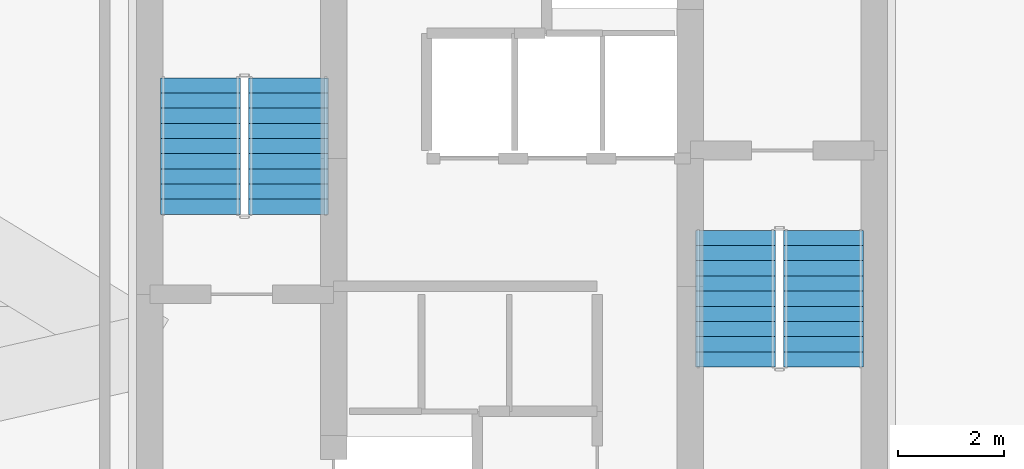
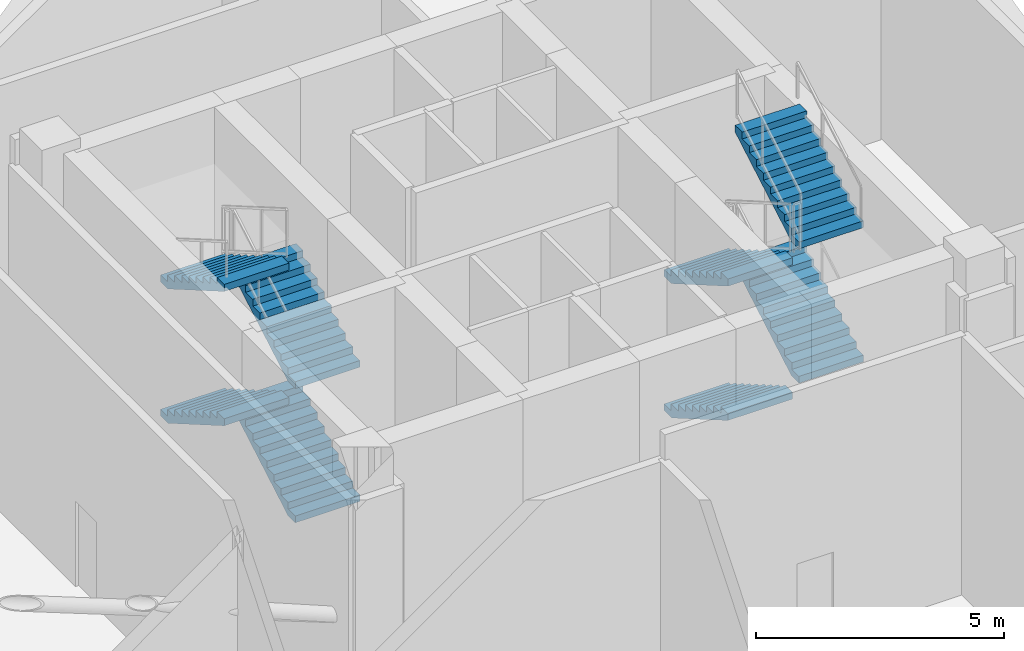
# One storey, part 5 of 7: 8 stair flights, 2 elements without a shape of their own.
"""IFC4 building model written with IfcOpenShell, lengths in metres."""

from ifc_helpers import new_model, si_unit, direction, frame, origin, place, context, subcontext, project, spatial, polyline, outline, extrude, material, type_object, element, aggregate, save


model = new_model("IFC4")

# Units and contexts
model_context = context("Model", 3, precision=1e-05, world=origin(), true_north=direction((0.0, 1.0)))
body_context = subcontext(model_context, "Body", "Model", "MODEL_VIEW")
ifc_project = project(units=[si_unit("LENGTHUNIT", "METRE"), si_unit("AREAUNIT", "SQUARE_METRE"), si_unit("VOLUMEUNIT", "CUBIC_METRE"), si_unit("PLANEANGLEUNIT", "RADIAN"), si_unit("MASSUNIT", "GRAM", prefix="KILO")], contexts=[model_context])

# Site, building, storey
site_placement = place(None, origin())
site = spatial("IfcSite", under=ifc_project, at=site_placement, CompositionType="ELEMENT")
building_placement = place(site_placement, origin())
building = spatial("IfcBuilding", under=site, at=building_placement, Name="Mersakhor Tower and Convention Hall", CompositionType="ELEMENT")
storey_placement = place(building_placement, frame((0.0, 0.0, 66.89990234375)))
storey = spatial("IfcBuildingStorey", under=building, at=storey_placement, Name="L18", CompositionType="ELEMENT", Elevation=66.89990234375)

# Stair, stair flights
ifc_material_1 = material(Name="Concrete C45/55", Category="concrete")
stair_type = type_object("IfcStairType", Name="ST-TWR-40R", PredefinedType="HALF_TURN_STAIR", material=ifc_material_1)
stair_1_placement = place(storey_placement, origin())
stair_1 = element("IfcStair", 1, at=stair_1_placement, inside=storey, type_object=stair_type, Name="L18 Tower Protected Exit Stair ST-1", PredefinedType="HALF_TURN_STAIR")
ifc_material_2 = material(Name="Concrete C45/55", Category="concrete")
stair_flight_type = type_object("IfcStairFlightType", Name="SFL-TWR-40R", PredefinedType="STRAIGHT", material=ifc_material_2)
stair_flight_1_placement = place(storey_placement, frame((24.800048828125, 26.89990234375, 0.0), z_axis=(0.0, 0.0, 1.0), x_axis=(0.0, 1.0, 0.0)))
stair_flight_1 = element("IfcStairFlight", 2, at=stair_flight_1_placement, type_object=stair_flight_type, Name="ST-1 flight 1", NumberOfRisers=10, NumberOfTreads=9, PredefinedType="STRAIGHT", RiserHeight=0.165, TreadLength=0.285, context=body_context, shape_type="SweptSolid", body=[
    extrude(outline(polyline([(0.0, 0.0), (0.0, 0.1650390625), (0.284912109375, 0.1650390625), (0.284912109375, 0.330078125), (0.570068359375, 0.330078125), (0.570068359375, 0.4951171875), (0.85498046875, 0.4951171875), (0.85498046875, 0.659912109375), (1.139892578125, 0.659912109375), (1.139892578125, 0.824951171875), (1.425048828125, 0.824951171875), (1.425048828125, 0.989990234375), (1.7099609375, 0.989990234375), (1.7099609375, 1.155029296875), (1.9951171875, 1.155029296875), (1.9951171875, 1.320068359375), (2.280029296875, 1.320068359375), (2.280029296875, 1.485107421875), (2.56494140625, 1.485107421875), (2.56494140625, 1.64990234375), (2.56494140625, 1.311767578125), (0.299072265625, 0.0), (0.0, 0.0)])), frame((0.0, 0.75, 0.0), z_axis=(0.0, -1.0, 0.0), x_axis=(1.0, 0.0, 0.0)), (0.0, 0.0, 1.0), 1.5),
])
stair_flight_2_placement = place(storey_placement, frame((23.14990234375, 29.465087890625, 1.650146484375), z_axis=(0.0, 0.0, 1.0), x_axis=(0.0, -1.0, 0.0)))
stair_flight_2 = element("IfcStairFlight", 3, at=stair_flight_2_placement, type_object=stair_flight_type, Name="ST-1 flight 2", NumberOfRisers=10, NumberOfTreads=9, PredefinedType="STRAIGHT", RiserHeight=0.165, TreadLength=0.285, context=body_context, shape_type="SweptSolid", body=[
    extrude(outline(polyline([(0.0, 0.0), (0.0, 0.1650390625), (0.284912109375, 0.1650390625), (0.284912109375, 0.330078125), (0.570068359375, 0.330078125), (0.570068359375, 0.4951171875), (0.85498046875, 0.4951171875), (0.85498046875, 0.659912109375), (1.139892578125, 0.659912109375), (1.139892578125, 0.824951171875), (1.425048828125, 0.824951171875), (1.425048828125, 0.989990234375), (1.7099609375, 0.989990234375), (1.7099609375, 1.155029296875), (1.9951171875, 1.155029296875), (1.9951171875, 1.320068359375), (2.280029296875, 1.320068359375), (2.280029296875, 1.485107421875), (2.56494140625, 1.485107421875), (2.56494140625, 1.64990234375), (2.56494140625, 1.311767578125), (0.299072265625, 0.0), (0.0, 0.0)])), frame((0.0, 0.75, 0.0), z_axis=(0.0, -1.0, 0.0), x_axis=(1.0, 0.0, 0.0)), (0.0, 0.0, 1.0), 1.5),
])
stair_flight_3_placement = place(storey_placement, frame((24.800048828125, 26.89990234375, 3.300048828125), z_axis=(0.0, 0.0, 1.0), x_axis=(0.0, 1.0, 0.0)))
stair_flight_3 = element("IfcStairFlight", 4, at=stair_flight_3_placement, type_object=stair_flight_type, Name="ST-1 flight 3", NumberOfRisers=10, NumberOfTreads=9, PredefinedType="STRAIGHT", RiserHeight=0.165, TreadLength=0.285, context=body_context, shape_type="SweptSolid", body=[
    extrude(outline(polyline([(0.0, 0.0), (0.0, 0.1650390625), (0.284912109375, 0.1650390625), (0.284912109375, 0.330078125), (0.570068359375, 0.330078125), (0.570068359375, 0.4951171875), (0.85498046875, 0.4951171875), (0.85498046875, 0.659912109375), (1.139892578125, 0.659912109375), (1.139892578125, 0.824951171875), (1.425048828125, 0.824951171875), (1.425048828125, 0.989990234375), (1.7099609375, 0.989990234375), (1.7099609375, 1.155029296875), (1.9951171875, 1.155029296875), (1.9951171875, 1.320068359375), (2.280029296875, 1.320068359375), (2.280029296875, 1.485107421875), (2.56494140625, 1.485107421875), (2.56494140625, 1.64990234375), (2.56494140625, 1.311767578125), (0.299072265625, 0.0), (0.0, 0.0)])), frame((0.0, 0.75, 0.0), z_axis=(0.0, -1.0, 0.0), x_axis=(1.0, 0.0, 0.0)), (0.0, 0.0, 1.0), 1.5),
])
stair_flight_4_placement = place(storey_placement, frame((23.14990234375, 29.465087890625, 4.9501953125), z_axis=(0.0, 0.0, 1.0), x_axis=(0.0, -1.0, 0.0)))
stair_flight_4 = element("IfcStairFlight", 5, at=stair_flight_4_placement, type_object=stair_flight_type, Name="ST-1 flight 4", NumberOfRisers=10, NumberOfTreads=9, PredefinedType="STRAIGHT", RiserHeight=0.165, TreadLength=0.285, context=body_context, shape_type="SweptSolid", body=[
    extrude(outline(polyline([(0.0, 0.0), (0.0, 0.1650390625), (0.284912109375, 0.1650390625), (0.284912109375, 0.330078125), (0.570068359375, 0.330078125), (0.570068359375, 0.4951171875), (0.85498046875, 0.4951171875), (0.85498046875, 0.659912109375), (1.139892578125, 0.659912109375), (1.139892578125, 0.824951171875), (1.425048828125, 0.824951171875), (1.425048828125, 0.989990234375), (1.7099609375, 0.989990234375), (1.7099609375, 1.155029296875), (1.9951171875, 1.155029296875), (1.9951171875, 1.320068359375), (2.280029296875, 1.320068359375), (2.280029296875, 1.485107421875), (2.56494140625, 1.485107421875), (2.56494140625, 1.64990234375), (2.56494140625, 1.311767578125), (0.299072265625, 0.0), (0.0, 0.0)])), frame((0.0, 0.75, 0.0), z_axis=(0.0, -1.0, 0.0), x_axis=(1.0, 0.0, 0.0)), (0.0, 0.0, 1.0), 1.5),
])
aggregate(stair_1, [stair_flight_1, stair_flight_2, stair_flight_3, stair_flight_4])

stair_2_placement = place(storey_placement, origin())
stair_2 = element("IfcStair", 6, at=stair_2_placement, inside=storey, type_object=stair_type, Name="L18 Tower Protected Exit Stair ST-2", PredefinedType="HALF_TURN_STAIR")
stair_flight_5_placement = place(storey_placement, frame((33.199951171875, 26.60009765625, 0.0), z_axis=(0.0, 0.0, 1.0), x_axis=(0.0, -1.0, 0.0)))
stair_flight_5 = element("IfcStairFlight", 7, at=stair_flight_5_placement, type_object=stair_flight_type, Name="ST-2 flight 1", NumberOfRisers=10, NumberOfTreads=9, PredefinedType="STRAIGHT", RiserHeight=0.165, TreadLength=0.285, context=body_context, shape_type="SweptSolid", body=[
    extrude(outline(polyline([(0.0, 0.0), (0.0, 0.1650390625), (0.284912109375, 0.1650390625), (0.284912109375, 0.330078125), (0.570068359375, 0.330078125), (0.570068359375, 0.4951171875), (0.85498046875, 0.4951171875), (0.85498046875, 0.659912109375), (1.139892578125, 0.659912109375), (1.139892578125, 0.824951171875), (1.425048828125, 0.824951171875), (1.425048828125, 0.989990234375), (1.7099609375, 0.989990234375), (1.7099609375, 1.155029296875), (1.9951171875, 1.155029296875), (1.9951171875, 1.320068359375), (2.280029296875, 1.320068359375), (2.280029296875, 1.485107421875), (2.56494140625, 1.485107421875), (2.56494140625, 1.64990234375), (2.56494140625, 1.311767578125), (0.299072265625, 0.0), (0.0, 0.0)])), frame((0.0, 0.75, 0.0), z_axis=(0.0, -1.0, 0.0), x_axis=(1.0, 0.0, 0.0)), (0.0, 0.0, 1.0), 1.5),
])
stair_flight_6_placement = place(storey_placement, frame((34.85009765625, 24.034912109375, 1.650146484375), z_axis=(0.0, 0.0, 1.0), x_axis=(0.0, 1.0, 0.0)))
stair_flight_6 = element("IfcStairFlight", 8, at=stair_flight_6_placement, type_object=stair_flight_type, Name="ST-2 flight 2", NumberOfRisers=10, NumberOfTreads=9, PredefinedType="STRAIGHT", RiserHeight=0.165, TreadLength=0.285, context=body_context, shape_type="SweptSolid", body=[
    extrude(outline(polyline([(0.0, 0.0), (0.0, 0.1650390625), (0.284912109375, 0.1650390625), (0.284912109375, 0.330078125), (0.570068359375, 0.330078125), (0.570068359375, 0.4951171875), (0.85498046875, 0.4951171875), (0.85498046875, 0.659912109375), (1.139892578125, 0.659912109375), (1.139892578125, 0.824951171875), (1.425048828125, 0.824951171875), (1.425048828125, 0.989990234375), (1.7099609375, 0.989990234375), (1.7099609375, 1.155029296875), (1.9951171875, 1.155029296875), (1.9951171875, 1.320068359375), (2.280029296875, 1.320068359375), (2.280029296875, 1.485107421875), (2.56494140625, 1.485107421875), (2.56494140625, 1.64990234375), (2.56494140625, 1.311767578125), (0.299072265625, 0.0), (0.0, 0.0)])), frame((0.0, 0.75, 0.0), z_axis=(0.0, -1.0, 0.0), x_axis=(1.0, 0.0, 0.0)), (0.0, 0.0, 1.0), 1.5),
])
stair_flight_7_placement = place(storey_placement, frame((33.199951171875, 26.60009765625, 3.300048828125), z_axis=(0.0, 0.0, 1.0), x_axis=(0.0, -1.0, 0.0)))
stair_flight_7 = element("IfcStairFlight", 9, at=stair_flight_7_placement, type_object=stair_flight_type, Name="ST-2 flight 3", NumberOfRisers=10, NumberOfTreads=9, PredefinedType="STRAIGHT", RiserHeight=0.165, TreadLength=0.285, context=body_context, shape_type="SweptSolid", body=[
    extrude(outline(polyline([(0.0, 0.0), (0.0, 0.1650390625), (0.284912109375, 0.1650390625), (0.284912109375, 0.330078125), (0.570068359375, 0.330078125), (0.570068359375, 0.4951171875), (0.85498046875, 0.4951171875), (0.85498046875, 0.659912109375), (1.139892578125, 0.659912109375), (1.139892578125, 0.824951171875), (1.425048828125, 0.824951171875), (1.425048828125, 0.989990234375), (1.7099609375, 0.989990234375), (1.7099609375, 1.155029296875), (1.9951171875, 1.155029296875), (1.9951171875, 1.320068359375), (2.280029296875, 1.320068359375), (2.280029296875, 1.485107421875), (2.56494140625, 1.485107421875), (2.56494140625, 1.64990234375), (2.56494140625, 1.311767578125), (0.299072265625, 0.0), (0.0, 0.0)])), frame((0.0, 0.75, 0.0), z_axis=(0.0, -1.0, 0.0), x_axis=(1.0, 0.0, 0.0)), (0.0, 0.0, 1.0), 1.5),
])
stair_flight_8_placement = place(storey_placement, frame((34.85009765625, 24.034912109375, 4.9501953125), z_axis=(0.0, 0.0, 1.0), x_axis=(0.0, 1.0, 0.0)))
stair_flight_8 = element("IfcStairFlight", 10, at=stair_flight_8_placement, type_object=stair_flight_type, Name="ST-2 flight 4", NumberOfRisers=10, NumberOfTreads=9, PredefinedType="STRAIGHT", RiserHeight=0.165, TreadLength=0.285, context=body_context, shape_type="SweptSolid", body=[
    extrude(outline(polyline([(0.0, 0.0), (0.0, 0.1650390625), (0.284912109375, 0.1650390625), (0.284912109375, 0.330078125), (0.570068359375, 0.330078125), (0.570068359375, 0.4951171875), (0.85498046875, 0.4951171875), (0.85498046875, 0.659912109375), (1.139892578125, 0.659912109375), (1.139892578125, 0.824951171875), (1.425048828125, 0.824951171875), (1.425048828125, 0.989990234375), (1.7099609375, 0.989990234375), (1.7099609375, 1.155029296875), (1.9951171875, 1.155029296875), (1.9951171875, 1.320068359375), (2.280029296875, 1.320068359375), (2.280029296875, 1.485107421875), (2.56494140625, 1.485107421875), (2.56494140625, 1.64990234375), (2.56494140625, 1.311767578125), (0.299072265625, 0.0), (0.0, 0.0)])), frame((0.0, 0.75, 0.0), z_axis=(0.0, -1.0, 0.0), x_axis=(1.0, 0.0, 0.0)), (0.0, 0.0, 1.0), 1.5),
])
aggregate(stair_2, [stair_flight_5, stair_flight_6, stair_flight_7, stair_flight_8])

save(model, "model.ifc")
